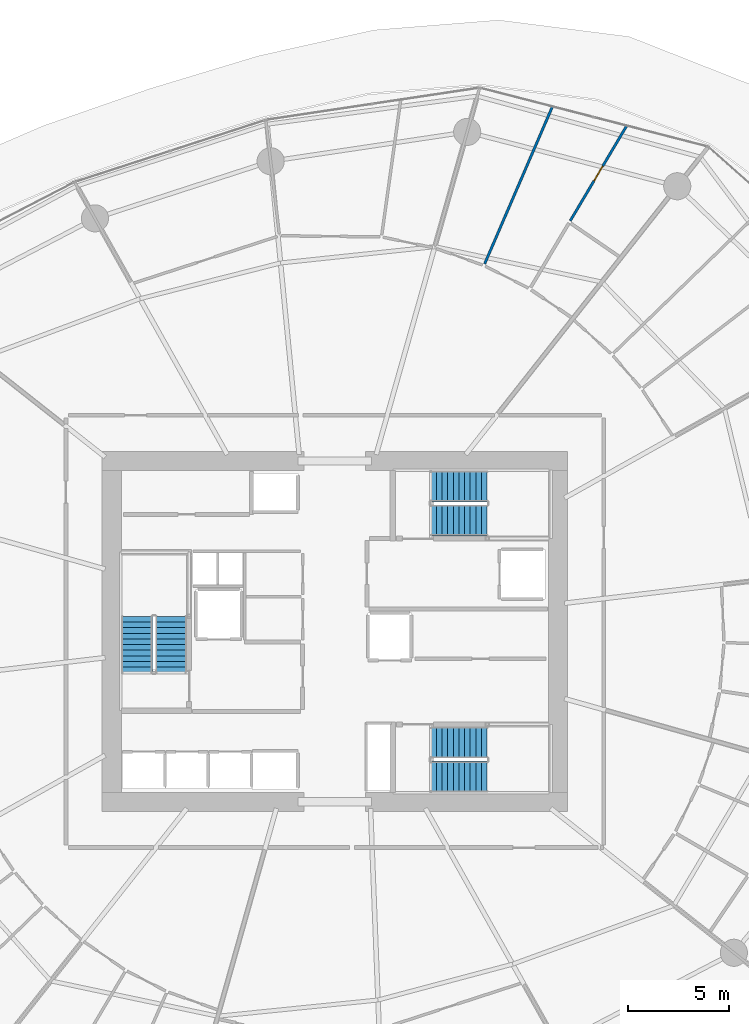
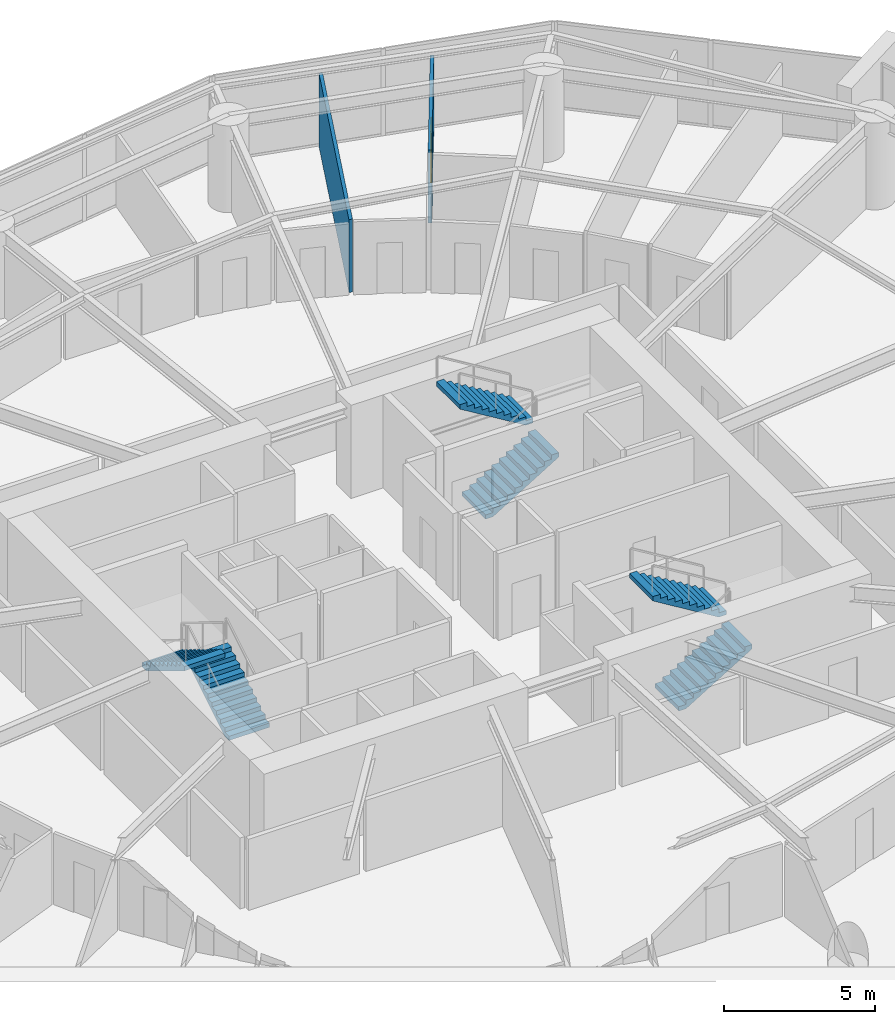
# One storey, part 21 of 22: 6 stair flights, 2 walls, 1 door, 1 opening, 3 elements without a shape of their own.
"""IFC4 building model written with IfcOpenShell, lengths in metres."""

from ifc_helpers import new_model, si_unit, direction, frame, frame_2d, origin, place, context, subcontext, project, spatial, polyline, rectangle, outline, extrude, material, layer, layer_set, type_object, element, fill, aggregate, save


model = new_model("IFC4")

# Units and contexts
model_context = context("Model", 3, precision=1e-05, world=origin(), true_north=direction((0.0, 1.0)))
body_context = subcontext(model_context, "Body", "Model", "MODEL_VIEW")
ifc_project = project(units=[si_unit("LENGTHUNIT", "METRE"), si_unit("AREAUNIT", "SQUARE_METRE"), si_unit("VOLUMEUNIT", "CUBIC_METRE"), si_unit("PLANEANGLEUNIT", "RADIAN"), si_unit("MASSUNIT", "GRAM", prefix="KILO")], contexts=[model_context])

# Site, building, storey
site_placement = place(None, origin())
site = spatial("IfcSite", under=ifc_project, at=site_placement, CompositionType="ELEMENT")
building_placement = place(site_placement, origin())
building = spatial("IfcBuilding", under=site, at=building_placement, Name="Kazma Halo Residences", CompositionType="ELEMENT")
storey_placement = place(building_placement, frame((0.0, 0.0, 26.39990234375)))
storey = spatial("IfcBuildingStorey", under=building, at=storey_placement, Name="L05", CompositionType="ELEMENT", Elevation=26.39990234375)

# Wall, opening, door
ifc_material_1 = material(Name="Gypsum Plasterboard Partition")
ifc_layer = layer(ifc_material_1, 0.125)
ifc_layer_set = layer_set([ifc_layer], Name="Gypsum Plasterboard Partition")
wall_type = type_object("IfcWallType", Name="WL-PART-125", PredefinedType="PARTITIONING", material=ifc_layer_set)
wall_1_placement = place(storey_placement, frame((60.135009765625, 62.427490234375, 0.0), z_axis=(0.0, 0.0, 1.0), x_axis=(0.510720075675, 0.859747058327, 0.0)))
wall_1 = element("IfcWall", 1, at=wall_1_placement, inside=storey, type_object=wall_type, Name="L05 Apartment 1 Utility Laundry Room partition wall", PredefinedType="PARTITIONING", context=body_context, shape_type="SweptSolid", body=[
    extrude(rectangle(XDim=5.474853515625, YDim=0.125, at=frame_2d((2.7373046875, 0.0))), origin(), (0.0, 0.0, 1.0), 2.940185546875),
])
opening_placement = place(wall_1_placement, frame((2.3125, 0.0, 0.0)))
opening = element("IfcOpeningElement", 2, at=opening_placement, cuts=wall_1, Name="Opening DB-900", PredefinedType="OPENING", context=body_context, shape_type="SweptSolid", body=[
    extrude(rectangle(XDim=0.85009765625, YDim=2.06005859375, at=frame_2d((0.425048828125, 1.030029296875))), frame((0.0, 0.072509765625, 0.0), z_axis=(0.0, -1.0, 0.0), x_axis=(1.0, 0.0, 0.0)), (0.0, 0.0, 1.0), 0.14501953125),
])
ifc_material_2 = material(Name="Moisture-Sealed Timber Leaf", Category="wood")
door_type = type_object("IfcDoorType", Name="DR-BTH-900", OperationType="NOTDEFINED", PredefinedType="DOOR", material=ifc_material_2)
door_placement = place(opening_placement, origin())
door = element("IfcDoor", 3, at=door_placement, inside=storey, type_object=door_type, Name="L05 Apartment 1 Utility Laundry Room door", OperationType="SINGLE_SWING_RIGHT", OverallHeight=2.06005859375, OverallWidth=0.85009765625, PredefinedType="DOOR", context=body_context, shape_type="SweptSolid", body=[
    extrude(rectangle(XDim=0.85009765625, YDim=2.06005859375, at=frame_2d((0.425048828125, 1.030029296875))), frame((0.0, 0.02490234375, 0.0), z_axis=(0.0, -1.0, 0.0), x_axis=(1.0, 0.0, 0.0)), (0.0, 0.0, 1.0), 0.050048828125),
])
fill(opening, door)

# Wall
wall_2_placement = place(storey_placement, frame((55.877197265625, 60.285400390625, 0.0), z_axis=(0.0, 0.0, 1.0), x_axis=(0.395646276744, 0.91840297457, 0.0)))
element("IfcWall", 4, at=wall_2_placement, inside=storey, type_object=wall_type, Name="L05 Apartment 1 suite divider 1", PredefinedType="PARTITIONING", context=body_context, shape_type="SweptSolid", body=[
    extrude(rectangle(XDim=8.493408203125, YDim=0.125, at=frame_2d((4.24658203125, 0.0))), origin(), (0.0, 0.0, 1.0), 2.940185546875),
])

# Stair, stair flights
ifc_material_3 = material(Name="Concrete C50/60", Category="concrete")
stair_type = type_object("IfcStairType", Name="STR-RES1", PredefinedType="HALF_TURN_STAIR", material=ifc_material_3)
stair_1_placement = place(storey_placement, origin())
stair_1 = element("IfcStair", 5, at=stair_1_placement, inside=storey, type_object=stair_type, Name="L05 Core exit stair ST-01", PredefinedType="HALF_TURN_STAIR")
stair_flight_type = type_object("IfcStairFlightType", Name="STR-RES1-FLT", PredefinedType="STRAIGHT", material=ifc_material_3)
stair_flight_1_placement = place(storey_placement, frame((40.27490234375, 39.949951171875, 0.0), z_axis=(0.0, 0.0, 1.0), x_axis=(0.0, 1.0, 0.0)))
stair_flight_1 = element("IfcStairFlight", 6, at=stair_flight_1_placement, type_object=stair_flight_type, Name="ST-01 flight 1", NumberOfRisers=11, NumberOfTreads=10, PredefinedType="STRAIGHT", RiserHeight=0.170454545, TreadLength=0.28, context=body_context, shape_type="SweptSolid", body=[
    extrude(outline(polyline([(0.0, 0.0), (0.0, 0.17041015625), (0.280029296875, 0.17041015625), (0.280029296875, 0.3408203125), (0.56005859375, 0.3408203125), (0.56005859375, 0.511474609375), (0.840087890625, 0.511474609375), (0.840087890625, 0.681884765625), (1.1201171875, 0.681884765625), (1.1201171875, 0.852294921875), (1.39990234375, 0.852294921875), (1.39990234375, 1.022705078125), (1.679931640625, 1.022705078125), (1.679931640625, 1.193115234375), (1.9599609375, 1.193115234375), (1.9599609375, 1.363525390625), (2.239990234375, 1.363525390625), (2.239990234375, 1.5341796875), (2.52001953125, 1.5341796875), (2.52001953125, 1.70458984375), (2.800048828125, 1.70458984375), (2.800048828125, 1.875), (2.800048828125, 1.529052734375), (0.288330078125, 0.0), (0.0, 0.0)])), frame((0.0, 0.77490234375, 0.0), z_axis=(0.0, -1.0, 0.0), x_axis=(1.0, 0.0, 0.0)), (0.0, 0.0, 1.0), 1.550048828125),
])
stair_flight_2_placement = place(storey_placement, frame((38.574951171875, 42.75, 1.875), z_axis=(0.0, 0.0, 1.0), x_axis=(0.0, -1.0, 0.0)))
stair_flight_2 = element("IfcStairFlight", 7, at=stair_flight_2_placement, type_object=stair_flight_type, Name="ST-01 flight 2", NumberOfRisers=11, NumberOfTreads=10, PredefinedType="STRAIGHT", RiserHeight=0.170454545, TreadLength=0.28, context=body_context, shape_type="SweptSolid", body=[
    extrude(outline(polyline([(0.0, 0.0), (0.0, 0.17041015625), (0.280029296875, 0.17041015625), (0.280029296875, 0.3408203125), (0.56005859375, 0.3408203125), (0.56005859375, 0.511474609375), (0.840087890625, 0.511474609375), (0.840087890625, 0.681884765625), (1.1201171875, 0.681884765625), (1.1201171875, 0.852294921875), (1.39990234375, 0.852294921875), (1.39990234375, 1.022705078125), (1.679931640625, 1.022705078125), (1.679931640625, 1.193115234375), (1.9599609375, 1.193115234375), (1.9599609375, 1.363525390625), (2.239990234375, 1.363525390625), (2.239990234375, 1.5341796875), (2.52001953125, 1.5341796875), (2.52001953125, 1.70458984375), (2.800048828125, 1.70458984375), (2.800048828125, 1.875), (2.800048828125, 1.529052734375), (0.288330078125, 0.0), (0.0, 0.0)])), frame((0.0, 0.77490234375, 0.0), z_axis=(0.0, -1.0, 0.0), x_axis=(1.0, 0.0, 0.0)), (0.0, 0.0, 1.0), 1.550048828125),
])
aggregate(stair_1, [stair_flight_1, stair_flight_2])

stair_2_placement = place(storey_placement, origin())
stair_2 = element("IfcStair", 8, at=stair_2_placement, inside=storey, type_object=stair_type, Name="L05 Core exit stair ST-02", PredefinedType="HALF_TURN_STAIR")
stair_flight_3_placement = place(storey_placement, frame((53.199951171875, 47.52490234375, 0.0), z_axis=(0.0, 0.0, 1.0), x_axis=(1.0, 0.0, 0.0)))
stair_flight_3 = element("IfcStairFlight", 9, at=stair_flight_3_placement, type_object=stair_flight_type, Name="ST-02 flight 1", NumberOfRisers=11, NumberOfTreads=10, PredefinedType="STRAIGHT", RiserHeight=0.170454545, TreadLength=0.28, context=body_context, shape_type="SweptSolid", body=[
    extrude(outline(polyline([(0.0, 0.0), (0.0, 0.17041015625), (0.280029296875, 0.17041015625), (0.280029296875, 0.3408203125), (0.56005859375, 0.3408203125), (0.56005859375, 0.511474609375), (0.840087890625, 0.511474609375), (0.840087890625, 0.681884765625), (1.1201171875, 0.681884765625), (1.1201171875, 0.852294921875), (1.39990234375, 0.852294921875), (1.39990234375, 1.022705078125), (1.679931640625, 1.022705078125), (1.679931640625, 1.193115234375), (1.9599609375, 1.193115234375), (1.9599609375, 1.363525390625), (2.239990234375, 1.363525390625), (2.239990234375, 1.5341796875), (2.52001953125, 1.5341796875), (2.52001953125, 1.70458984375), (2.800048828125, 1.70458984375), (2.800048828125, 1.875), (2.800048828125, 1.529052734375), (0.288330078125, 0.0), (0.0, 0.0)])), frame((0.0, 0.77490234375, 0.0), z_axis=(0.0, -1.0, 0.0), x_axis=(1.0, 0.0, 0.0)), (0.0, 0.0, 1.0), 1.550048828125),
])
stair_flight_4_placement = place(storey_placement, frame((56.0, 49.22509765625, 1.875), z_axis=(0.0, 0.0, 1.0), x_axis=(-1.0, 0.0, 0.0)))
stair_flight_4 = element("IfcStairFlight", 10, at=stair_flight_4_placement, type_object=stair_flight_type, Name="ST-02 flight 2", NumberOfRisers=11, NumberOfTreads=10, PredefinedType="STRAIGHT", RiserHeight=0.170454545, TreadLength=0.28, context=body_context, shape_type="SweptSolid", body=[
    extrude(outline(polyline([(0.0, 0.0), (0.0, 0.17041015625), (0.280029296875, 0.17041015625), (0.280029296875, 0.3408203125), (0.56005859375, 0.3408203125), (0.56005859375, 0.511474609375), (0.840087890625, 0.511474609375), (0.840087890625, 0.681884765625), (1.1201171875, 0.681884765625), (1.1201171875, 0.852294921875), (1.39990234375, 0.852294921875), (1.39990234375, 1.022705078125), (1.679931640625, 1.022705078125), (1.679931640625, 1.193115234375), (1.9599609375, 1.193115234375), (1.9599609375, 1.363525390625), (2.239990234375, 1.363525390625), (2.239990234375, 1.5341796875), (2.52001953125, 1.5341796875), (2.52001953125, 1.70458984375), (2.800048828125, 1.70458984375), (2.800048828125, 1.875), (2.800048828125, 1.529052734375), (0.288330078125, 0.0), (0.0, 0.0)])), frame((0.0, 0.77490234375, 0.0), z_axis=(0.0, -1.0, 0.0), x_axis=(1.0, 0.0, 0.0)), (0.0, 0.0, 1.0), 1.550048828125),
])
aggregate(stair_2, [stair_flight_3, stair_flight_4])

stair_3_placement = place(storey_placement, origin())
stair_3 = element("IfcStair", 11, at=stair_3_placement, inside=storey, type_object=stair_type, Name="L05 Core exit stair ST-03", PredefinedType="HALF_TURN_STAIR")
stair_flight_5_placement = place(storey_placement, frame((53.199951171875, 34.77490234375, 0.0), z_axis=(0.0, 0.0, 1.0), x_axis=(1.0, 0.0, 0.0)))
stair_flight_5 = element("IfcStairFlight", 12, at=stair_flight_5_placement, type_object=stair_flight_type, Name="ST-03 flight 1", NumberOfRisers=11, NumberOfTreads=10, PredefinedType="STRAIGHT", RiserHeight=0.170454545, TreadLength=0.28, context=body_context, shape_type="SweptSolid", body=[
    extrude(outline(polyline([(0.0, 0.0), (0.0, 0.17041015625), (0.280029296875, 0.17041015625), (0.280029296875, 0.3408203125), (0.56005859375, 0.3408203125), (0.56005859375, 0.511474609375), (0.840087890625, 0.511474609375), (0.840087890625, 0.681884765625), (1.1201171875, 0.681884765625), (1.1201171875, 0.852294921875), (1.39990234375, 0.852294921875), (1.39990234375, 1.022705078125), (1.679931640625, 1.022705078125), (1.679931640625, 1.193115234375), (1.9599609375, 1.193115234375), (1.9599609375, 1.363525390625), (2.239990234375, 1.363525390625), (2.239990234375, 1.5341796875), (2.52001953125, 1.5341796875), (2.52001953125, 1.70458984375), (2.800048828125, 1.70458984375), (2.800048828125, 1.875), (2.800048828125, 1.529052734375), (0.288330078125, 0.0), (0.0, 0.0)])), frame((0.0, 0.77490234375, 0.0), z_axis=(0.0, -1.0, 0.0), x_axis=(1.0, 0.0, 0.0)), (0.0, 0.0, 1.0), 1.550048828125),
])
stair_flight_6_placement = place(storey_placement, frame((56.0, 36.47509765625, 1.875), z_axis=(0.0, 0.0, 1.0), x_axis=(-1.0, 0.0, 0.0)))
stair_flight_6 = element("IfcStairFlight", 13, at=stair_flight_6_placement, type_object=stair_flight_type, Name="ST-03 flight 2", NumberOfRisers=11, NumberOfTreads=10, PredefinedType="STRAIGHT", RiserHeight=0.170454545, TreadLength=0.28, context=body_context, shape_type="SweptSolid", body=[
    extrude(outline(polyline([(0.0, 0.0), (0.0, 0.17041015625), (0.280029296875, 0.17041015625), (0.280029296875, 0.3408203125), (0.56005859375, 0.3408203125), (0.56005859375, 0.511474609375), (0.840087890625, 0.511474609375), (0.840087890625, 0.681884765625), (1.1201171875, 0.681884765625), (1.1201171875, 0.852294921875), (1.39990234375, 0.852294921875), (1.39990234375, 1.022705078125), (1.679931640625, 1.022705078125), (1.679931640625, 1.193115234375), (1.9599609375, 1.193115234375), (1.9599609375, 1.363525390625), (2.239990234375, 1.363525390625), (2.239990234375, 1.5341796875), (2.52001953125, 1.5341796875), (2.52001953125, 1.70458984375), (2.800048828125, 1.70458984375), (2.800048828125, 1.875), (2.800048828125, 1.529052734375), (0.288330078125, 0.0), (0.0, 0.0)])), frame((0.0, 0.77490234375, 0.0), z_axis=(0.0, -1.0, 0.0), x_axis=(1.0, 0.0, 0.0)), (0.0, 0.0, 1.0), 1.550048828125),
])
aggregate(stair_3, [stair_flight_5, stair_flight_6])

save(model, "model.ifc")
